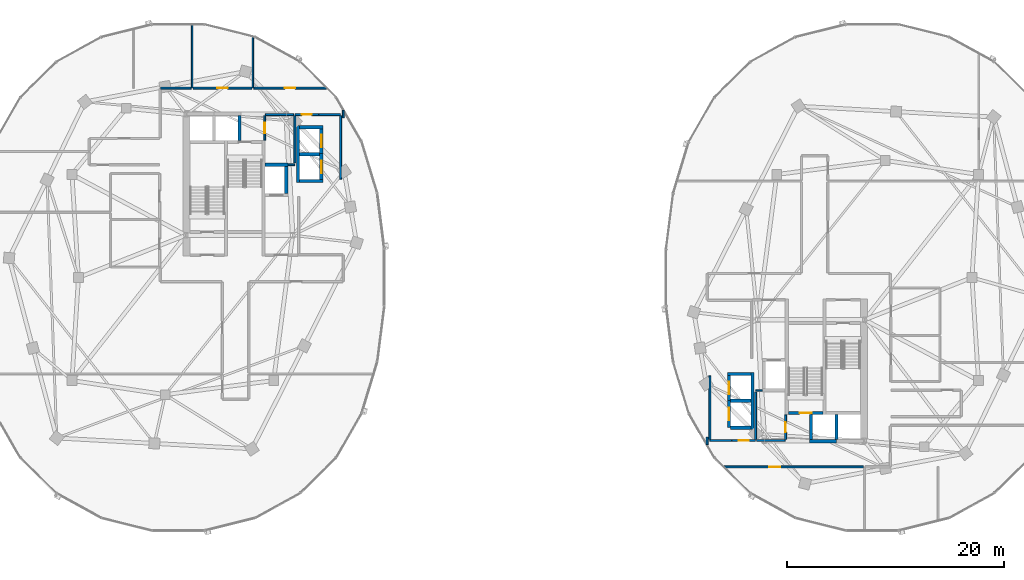
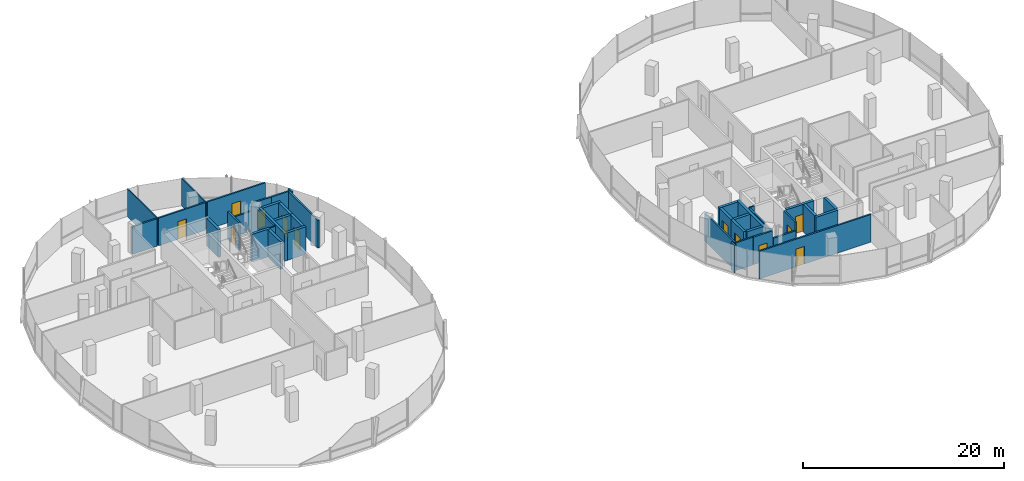
# One storey, part 13 of 22: 41 walls, 12 doors, 12 openings.
"""IFC4 building model written with IfcOpenShell, lengths in metres."""

from ifc_helpers import new_model, si_unit, direction, frame, frame_2d, origin, place, context, subcontext, project, spatial, rectangle, extrude, material, layer, layer_set, type_object, element, fill, save


model = new_model("IFC4")

# Units and contexts
model_context = context("Model", 3, precision=1e-05, world=origin(), true_north=direction((0.0, 1.0)))
body_context = subcontext(model_context, "Body", "Model", "MODEL_VIEW")
ifc_project = project(units=[si_unit("LENGTHUNIT", "METRE"), si_unit("AREAUNIT", "SQUARE_METRE"), si_unit("VOLUMEUNIT", "CUBIC_METRE"), si_unit("PLANEANGLEUNIT", "RADIAN"), si_unit("MASSUNIT", "GRAM", prefix="KILO"), si_unit("THERMODYNAMICTEMPERATUREUNIT", "KELVIN"), si_unit("POWERUNIT", "WATT")], contexts=[model_context])

# Site, building, storey
site_placement = place(None, origin())
site = spatial("IfcSite", under=ifc_project, at=site_placement, CompositionType="ELEMENT")
building_placement = place(site_placement, origin())
building = spatial("IfcBuilding", under=site, at=building_placement, Name="Cundina Bronze Exchange", CompositionType="ELEMENT")
storey_placement = place(building_placement, frame((0.0, 0.0, 165.60009765625)))
storey = spatial("IfcBuildingStorey", under=building, at=storey_placement, Name="L43", CompositionType="ELEMENT", Elevation=165.60009765625)

# Wall
ifc_material_1 = material(Name="Gypsum Fireboard Partition EI120")
ifc_layer_1 = layer(ifc_material_1, 0.179931640625, Name="Gypsum Fireboard Partition EI120")
ifc_layer_set_1 = layer_set([ifc_layer_1], Name="Gypsum Fireboard Partition EI120")
wall_type_1 = type_object("IfcWallType", Name="WL-COR-180", PredefinedType="PARTITIONING", material=ifc_layer_set_1)
wall_1_placement = place(storey_placement, frame((-17.02001953125, 9.070068359375, 0.0), z_axis=(0.0, 0.0, 1.0), x_axis=(0.0, 1.0, 0.0)))
element("IfcWall", 1, at=wall_1_placement, inside=storey, type_object=wall_type_1, Name="L43 Interior Partition 001", PredefinedType="PARTITIONING", context=body_context, shape_type="SweptSolid", body=[
    extrude(rectangle(XDim=5.85986328125, YDim=0.179931640625, at=frame_2d((2.929931640625, 0.0))), origin(), (0.0, 0.0, 1.0), 3.35986328125),
])

# Wall, opening, door
wall_2_placement = place(storey_placement, frame((-21.22998046875, 15.030029296875, 0.0), z_axis=(0.0, 0.0, 1.0), x_axis=(1.0, 0.0, 0.0)))
wall_2 = element("IfcWall", 2, at=wall_2_placement, inside=storey, type_object=wall_type_1, Name="L43 Interior Partition 002", PredefinedType="PARTITIONING", context=body_context, shape_type="SweptSolid", body=[
    extrude(rectangle(XDim=2.159912109375, YDim=0.179931640625, at=frame_2d((1.080078125, 0.0))), origin(), (0.0, 0.0, 1.0), 3.35986328125),
])
opening_1_placement = place(wall_2_placement, frame((0.60498046875, 0.0, 0.0)))
opening_1 = element("IfcOpeningElement", 3, at=opening_1_placement, cuts=wall_2, Name="Opening DW-01", PredefinedType="OPENING", context=body_context, shape_type="SweptSolid", body=[
    extrude(rectangle(XDim=0.949951171875, YDim=2.10009765625, at=frame_2d((0.47509765625, 1.050048828125))), frame((0.0, 0.099853515625, 0.0), z_axis=(0.0, -1.0, 0.0), x_axis=(1.0, 0.0, 0.0)), (0.0, 0.0, 1.0), 0.199951171875),
])
ifc_material_2 = material(Name="Solid Andean Oak Timber Grade A", Category="wood")
door_type_1 = type_object("IfcDoorType", Name="DR-WC-950", OperationType="NOTDEFINED", PredefinedType="DOOR", material=ifc_material_2)
door_1_placement = place(opening_1_placement, origin())
door_1 = element("IfcDoor", 4, at=door_1_placement, inside=storey, type_object=door_type_1, Name="L43 Interior Door 002", OperationType="SINGLE_SWING_LEFT", OverallHeight=2.10009765625, OverallWidth=0.949951171875, PredefinedType="DOOR", context=body_context, shape_type="SweptSolid", body=[
    extrude(rectangle(XDim=0.949951171875, YDim=2.10009765625, at=frame_2d((0.47509765625, 1.050048828125))), frame((0.0, 0.02490234375, 0.0), z_axis=(0.0, -1.0, 0.0), x_axis=(1.0, 0.0, 0.0)), (0.0, 0.0, 1.0), 0.050048828125),
])
fill(opening_1, door_1)

# Walls
wall_3_placement = place(storey_placement, frame((-19.030029296875, 15.030029296875, 0.0), z_axis=(0.0, 0.0, 1.0), x_axis=(1.0, 0.0, 0.0)))
element("IfcWall", 5, at=wall_3_placement, inside=storey, type_object=wall_type_1, Name="L43 Interior Partition 003", PredefinedType="PARTITIONING", context=body_context, shape_type="SweptSolid", body=[
    extrude(rectangle(XDim=1.989990234375, YDim=0.179931640625, at=frame_2d((0.9951171875, 0.0))), origin(), (0.0, 0.0, 1.0), 3.35986328125),
])
wall_4_placement = place(storey_placement, frame((-21.25, 10.570068359375, 0.0), z_axis=(0.0, 0.0, 1.0), x_axis=(0.0, 1.0, 0.0)))
element("IfcWall", 6, at=wall_4_placement, inside=storey, type_object=wall_type_1, Name="L43 Interior Partition 005", PredefinedType="PARTITIONING", context=body_context, shape_type="SweptSolid", body=[
    extrude(rectangle(XDim=4.35986328125, YDim=0.179931640625, at=frame_2d((2.179931640625, 0.0))), origin(), (0.0, 0.0, 1.0), 3.35986328125),
])
wall_5_placement = place(storey_placement, frame((-23.9599609375, 15.030029296875, 0.0), z_axis=(0.0, 0.0, 1.0), x_axis=(1.0, 0.0, 0.0)))
element("IfcWall", 7, at=wall_5_placement, inside=storey, type_object=wall_type_1, Name="L43 Interior Partition 006", PredefinedType="PARTITIONING", context=body_context, shape_type="SweptSolid", body=[
    extrude(rectangle(XDim=2.60986328125, YDim=0.179931640625, at=frame_2d((1.304931640625, 0.0))), origin(), (0.0, 0.0, 1.0), 2.432861328125),
])

# Wall, opening, door
wall_6_placement = place(storey_placement, frame((-24.02001953125, 12.669921875, 0.0), z_axis=(0.0, 0.0, 1.0), x_axis=(0.0, 1.0, 0.0)))
wall_6 = element("IfcWall", 8, at=wall_6_placement, inside=storey, type_object=wall_type_1, Name="L43 Interior Partition 007", PredefinedType="PARTITIONING", context=body_context, shape_type="SweptSolid", body=[
    extrude(rectangle(XDim=2.260009765625, YDim=0.179931640625, at=frame_2d((1.1298828125, 0.0))), origin(), (0.0, 0.0, 1.0), 3.35986328125),
])
opening_2_placement = place(wall_6_placement, frame((0.655029296875, 0.0, 0.0)))
opening_2 = element("IfcOpeningElement", 9, at=opening_2_placement, cuts=wall_6, Name="Opening DW-01", PredefinedType="OPENING", context=body_context, shape_type="SweptSolid", body=[
    extrude(rectangle(XDim=0.949951171875, YDim=2.10009765625, at=frame_2d((0.47509765625, 1.050048828125))), frame((0.0, 0.099853515625, 0.0), z_axis=(0.0, -1.0, 0.0), x_axis=(1.0, 0.0, 0.0)), (0.0, 0.0, 1.0), 0.199951171875),
])
door_2_placement = place(opening_2_placement, origin())
door_2 = element("IfcDoor", 10, at=door_2_placement, inside=storey, type_object=door_type_1, Name="L43 Interior Door 007", OperationType="SINGLE_SWING_LEFT", OverallHeight=2.10009765625, OverallWidth=0.949951171875, PredefinedType="DOOR", context=body_context, shape_type="SweptSolid", body=[
    extrude(rectangle(XDim=0.949951171875, YDim=2.10009765625, at=frame_2d((0.47509765625, 1.050048828125))), frame((0.0, 0.02490234375, 0.0), z_axis=(0.0, -1.0, 0.0), x_axis=(1.0, 0.0, 0.0)), (0.0, 0.0, 1.0), 0.050048828125),
])
fill(opening_2, door_2)

# Walls
wall_7_placement = place(storey_placement, frame((-16.780029296875, 14.721435546875, 0.0), z_axis=(0.0, 0.0, 1.0), x_axis=(0.0, 1.0, 0.0)))
element("IfcWall", 11, at=wall_7_placement, inside=storey, type_object=wall_type_1, Name="L43 Interior Partition 033", PredefinedType="PARTITIONING", context=body_context, shape_type="SweptSolid", body=[
    extrude(rectangle(XDim=0.68359375, YDim=0.179931640625, at=frame_2d((0.341796875, 0.0))), origin(), (0.0, 0.0, 1.0), 3.35986328125),
])
wall_8_placement = place(storey_placement, frame((-30.81005859375, 17.469970703125, 0.0), z_axis=(0.0, 0.0, 1.0), x_axis=(-1.0, 0.0, 0.0)))
element("IfcWall", 12, at=wall_8_placement, inside=storey, type_object=wall_type_1, Name="L43 Interior Partition 038", PredefinedType="PARTITIONING", context=body_context, shape_type="SweptSolid", body=[
    extrude(rectangle(XDim=2.818359375, YDim=0.179931640625, at=frame_2d((1.4091796875, 0.0))), origin(), (0.0, 0.0, 1.0), 3.35986328125),
])

# Wall, opening, door
wall_9_placement = place(storey_placement, frame((-18.341796875, 17.469970703125, 0.0), z_axis=(0.0, 0.0, 1.0), x_axis=(-1.0, 0.0, 0.0)))
wall_9 = element("IfcWall", 13, at=wall_9_placement, inside=storey, type_object=wall_type_1, Name="L43 Interior Partition 040", PredefinedType="PARTITIONING", context=body_context, shape_type="SweptSolid", body=[
    extrude(rectangle(XDim=6.688232421875, YDim=0.179931640625, at=frame_2d((3.34423828125, 0.0))), origin(), (0.0, 0.0, 1.0), 3.35986328125),
])
opening_3_placement = place(wall_9_placement, frame((2.84423828125, 0.0, 0.0)))
opening_3 = element("IfcOpeningElement", 14, at=opening_3_placement, cuts=wall_9, Name="Opening DO-01", PredefinedType="OPENING", context=body_context, shape_type="SweptSolid", body=[
    extrude(rectangle(XDim=1.0, YDim=2.14990234375, at=frame_2d((0.5, 1.074951171875))), frame((0.0, 0.099853515625, 0.0), z_axis=(0.0, -1.0, 0.0), x_axis=(1.0, 0.0, 0.0)), (0.0, 0.0, 1.0), 0.199951171875),
])
door_type_2 = type_object("IfcDoorType", Name="DR-OFF-1000", OperationType="NOTDEFINED", PredefinedType="DOOR", material=ifc_material_2)
door_3_placement = place(opening_3_placement, origin())
door_3 = element("IfcDoor", 15, at=door_3_placement, inside=storey, type_object=door_type_2, Name="L43 Interior Door 040", OperationType="SINGLE_SWING_LEFT", OverallHeight=2.14990234375, OverallWidth=1.0, PredefinedType="DOOR", context=body_context, shape_type="SweptSolid", body=[
    extrude(rectangle(XDim=1.0, YDim=2.14990234375, at=frame_2d((0.5, 1.074951171875))), frame((0.0, 0.02490234375, 0.0), z_axis=(0.0, -1.0, 0.0), x_axis=(1.0, 0.0, 0.0)), (0.0, 0.0, 1.0), 0.050048828125),
])
fill(opening_3, door_3)

wall_10_placement = place(storey_placement, frame((-25.2099609375, 17.469970703125, 0.0), z_axis=(0.0, 0.0, 1.0), x_axis=(-1.0, 0.0, 0.0)))
wall_10 = element("IfcWall", 16, at=wall_10_placement, inside=storey, type_object=wall_type_1, Name="L43 Interior Partition 041", PredefinedType="PARTITIONING", context=body_context, shape_type="SweptSolid", body=[
    extrude(rectangle(XDim=5.419921875, YDim=0.179931640625, at=frame_2d((2.7099609375, 0.0))), origin(), (0.0, 0.0, 1.0), 3.35986328125),
])
opening_4_placement = place(wall_10_placement, frame((2.2099609375, 0.0, 0.0)))
opening_4 = element("IfcOpeningElement", 17, at=opening_4_placement, cuts=wall_10, Name="Opening DO-01", PredefinedType="OPENING", context=body_context, shape_type="SweptSolid", body=[
    extrude(rectangle(XDim=1.0, YDim=2.14990234375, at=frame_2d((0.5, 1.074951171875))), frame((0.0, 0.099853515625, 0.0), z_axis=(0.0, -1.0, 0.0), x_axis=(1.0, 0.0, 0.0)), (0.0, 0.0, 1.0), 0.199951171875),
])
door_4_placement = place(opening_4_placement, origin())
door_4 = element("IfcDoor", 18, at=door_4_placement, inside=storey, type_object=door_type_2, Name="L43 Interior Door 041", OperationType="SINGLE_SWING_LEFT", OverallHeight=2.14990234375, OverallWidth=1.0, PredefinedType="DOOR", context=body_context, shape_type="SweptSolid", body=[
    extrude(rectangle(XDim=1.0, YDim=2.14990234375, at=frame_2d((0.5, 1.074951171875))), frame((0.0, 0.02490234375, 0.0), z_axis=(0.0, -1.0, 0.0), x_axis=(1.0, 0.0, 0.0)), (0.0, 0.0, 1.0), 0.050048828125),
])
fill(opening_4, door_4)

# Walls
wall_11_placement = place(storey_placement, frame((17.02001953125, -14.929931640625, 0.0), z_axis=(0.0, 0.0, 1.0), x_axis=(0.0, 1.0, 0.0)))
element("IfcWall", 19, at=wall_11_placement, inside=storey, type_object=wall_type_1, Name="L43 Interior Partition 042", PredefinedType="PARTITIONING", context=body_context, shape_type="SweptSolid", body=[
    extrude(rectangle(XDim=5.85986328125, YDim=0.179931640625, at=frame_2d((2.929931640625, 0.0))), origin(), (0.0, 0.0, 1.0), 3.35986328125),
])
wall_12_placement = place(storey_placement, frame((17.0400390625, -15.030029296875, 0.0), z_axis=(0.0, 0.0, 1.0), x_axis=(1.0, 0.0, 0.0)))
element("IfcWall", 20, at=wall_12_placement, inside=storey, type_object=wall_type_1, Name="L43 Interior Partition 043", PredefinedType="PARTITIONING", context=body_context, shape_type="SweptSolid", body=[
    extrude(rectangle(XDim=1.989990234375, YDim=0.179931640625, at=frame_2d((0.9951171875, 0.0))), origin(), (0.0, 0.0, 1.0), 3.35986328125),
])

# Wall, opening, door
wall_13_placement = place(storey_placement, frame((21.22998046875, -15.030029296875, 0.0), z_axis=(0.0, 0.0, 1.0), x_axis=(-1.0, 0.0, 0.0)))
wall_13 = element("IfcWall", 21, at=wall_13_placement, inside=storey, type_object=wall_type_1, Name="L43 Interior Partition 044", PredefinedType="PARTITIONING", context=body_context, shape_type="SweptSolid", body=[
    extrude(rectangle(XDim=2.159912109375, YDim=0.179931640625, at=frame_2d((1.080078125, 0.0))), origin(), (0.0, 0.0, 1.0), 3.35986328125),
])
opening_5_placement = place(wall_13_placement, frame((0.60498046875, 0.0, 0.0)))
opening_5 = element("IfcOpeningElement", 22, at=opening_5_placement, cuts=wall_13, Name="Opening DW-01", PredefinedType="OPENING", context=body_context, shape_type="SweptSolid", body=[
    extrude(rectangle(XDim=0.949951171875, YDim=2.10009765625, at=frame_2d((0.47509765625, 1.050048828125))), frame((0.0, 0.099853515625, 0.0), z_axis=(0.0, -1.0, 0.0), x_axis=(1.0, 0.0, 0.0)), (0.0, 0.0, 1.0), 0.199951171875),
])
door_5_placement = place(opening_5_placement, origin())
door_5 = element("IfcDoor", 23, at=door_5_placement, inside=storey, type_object=door_type_1, Name="L43 Interior Door 044", OperationType="SINGLE_SWING_RIGHT", OverallHeight=2.10009765625, OverallWidth=0.949951171875, PredefinedType="DOOR", context=body_context, shape_type="SweptSolid", body=[
    extrude(rectangle(XDim=0.949951171875, YDim=2.10009765625, at=frame_2d((0.47509765625, 1.050048828125))), frame((0.0, 0.02490234375, 0.0), z_axis=(0.0, -1.0, 0.0), x_axis=(1.0, 0.0, 0.0)), (0.0, 0.0, 1.0), 0.050048828125),
])
fill(opening_5, door_5)

# Walls
wall_14_placement = place(storey_placement, frame((21.25, -14.929931640625, 0.0), z_axis=(0.0, 0.0, 1.0), x_axis=(0.0, 1.0, 0.0)))
element("IfcWall", 24, at=wall_14_placement, inside=storey, type_object=wall_type_1, Name="L43 Interior Partition 046", PredefinedType="PARTITIONING", context=body_context, shape_type="SweptSolid", body=[
    extrude(rectangle(XDim=4.35986328125, YDim=0.179931640625, at=frame_2d((2.179931640625, 0.0))), origin(), (0.0, 0.0, 1.0), 3.35986328125),
])
wall_15_placement = place(storey_placement, frame((21.35009765625, -15.030029296875, 0.0), z_axis=(0.0, 0.0, 1.0), x_axis=(1.0, 0.0, 0.0)))
element("IfcWall", 25, at=wall_15_placement, inside=storey, type_object=wall_type_1, Name="L43 Interior Partition 047", PredefinedType="PARTITIONING", context=body_context, shape_type="SweptSolid", body=[
    extrude(rectangle(XDim=2.60986328125, YDim=0.179931640625, at=frame_2d((1.304931640625, 0.0))), origin(), (0.0, 0.0, 1.0), 2.432861328125),
])

# Wall, opening, door
wall_16_placement = place(storey_placement, frame((24.02001953125, -14.929931640625, 0.0), z_axis=(0.0, 0.0, 1.0), x_axis=(0.0, 1.0, 0.0)))
wall_16 = element("IfcWall", 26, at=wall_16_placement, inside=storey, type_object=wall_type_1, Name="L43 Interior Partition 048", PredefinedType="PARTITIONING", context=body_context, shape_type="SweptSolid", body=[
    extrude(rectangle(XDim=2.260009765625, YDim=0.179931640625, at=frame_2d((1.1298828125, 0.0))), origin(), (0.0, 0.0, 1.0), 3.35986328125),
])
opening_6_placement = place(wall_16_placement, frame((0.655029296875, 0.0, 0.0)))
opening_6 = element("IfcOpeningElement", 27, at=opening_6_placement, cuts=wall_16, Name="Opening DW-01", PredefinedType="OPENING", context=body_context, shape_type="SweptSolid", body=[
    extrude(rectangle(XDim=0.949951171875, YDim=2.10009765625, at=frame_2d((0.47509765625, 1.050048828125))), frame((0.0, 0.099853515625, 0.0), z_axis=(0.0, -1.0, 0.0), x_axis=(1.0, 0.0, 0.0)), (0.0, 0.0, 1.0), 0.199951171875),
])
door_6_placement = place(opening_6_placement, origin())
door_6 = element("IfcDoor", 28, at=door_6_placement, inside=storey, type_object=door_type_1, Name="L43 Interior Door 048", OperationType="SINGLE_SWING_RIGHT", OverallHeight=2.10009765625, OverallWidth=0.949951171875, PredefinedType="DOOR", context=body_context, shape_type="SweptSolid", body=[
    extrude(rectangle(XDim=0.949951171875, YDim=2.10009765625, at=frame_2d((0.47509765625, 1.050048828125))), frame((0.0, 0.02490234375, 0.0), z_axis=(0.0, -1.0, 0.0), x_axis=(1.0, 0.0, 0.0)), (0.0, 0.0, 1.0), 0.050048828125),
])
fill(opening_6, door_6)

wall_17_placement = place(storey_placement, frame((18.341796875, -17.469970703125, 0.0), z_axis=(0.0, 0.0, 1.0), x_axis=(1.0, 0.0, 0.0)))
wall_17 = element("IfcWall", 29, at=wall_17_placement, inside=storey, type_object=wall_type_1, Name="L43 Interior Partition 064", PredefinedType="PARTITIONING", context=body_context, shape_type="SweptSolid", body=[
    extrude(rectangle(XDim=12.84814453125, YDim=0.179931640625, at=frame_2d((6.424072265625, 0.0))), origin(), (0.0, 0.0, 1.0), 3.35986328125),
])
opening_7_placement = place(wall_17_placement, frame((4.182861328125, 0.0, 0.0)))
opening_7 = element("IfcOpeningElement", 30, at=opening_7_placement, cuts=wall_17, Name="Opening DO-01", PredefinedType="OPENING", context=body_context, shape_type="SweptSolid", body=[
    extrude(rectangle(XDim=1.0, YDim=2.14990234375, at=frame_2d((0.5, 1.074951171875))), frame((0.0, 0.099853515625, 0.0), z_axis=(0.0, -1.0, 0.0), x_axis=(1.0, 0.0, 0.0)), (0.0, 0.0, 1.0), 0.199951171875),
])
door_7_placement = place(opening_7_placement, origin())
door_7 = element("IfcDoor", 31, at=door_7_placement, inside=storey, type_object=door_type_2, Name="L43 Interior Door 064", OperationType="SINGLE_SWING_LEFT", OverallHeight=2.14990234375, OverallWidth=1.0, PredefinedType="DOOR", context=body_context, shape_type="SweptSolid", body=[
    extrude(rectangle(XDim=1.0, YDim=2.14990234375, at=frame_2d((0.5, 1.074951171875))), frame((0.0, 0.02490234375, 0.0), z_axis=(0.0, -1.0, 0.0), x_axis=(1.0, 0.0, 0.0)), (0.0, 0.0, 1.0), 0.050048828125),
])
fill(opening_7, door_7)

# Walls
wall_18_placement = place(storey_placement, frame((16.780029296875, -14.721435546875, 0.0), z_axis=(0.0, 0.0, 1.0), x_axis=(0.0, -1.0, 0.0)))
element("IfcWall", 32, at=wall_18_placement, inside=storey, type_object=wall_type_1, Name="L43 Interior Partition 074", PredefinedType="PARTITIONING", context=body_context, shape_type="SweptSolid", body=[
    extrude(rectangle(XDim=0.68359375, YDim=0.179931640625, at=frame_2d((0.341796875, 0.0))), origin(), (0.0, 0.0, 1.0), 3.35986328125),
])
ifc_material_3 = material(Name="Gypsum Acoustic Partition EI60")
ifc_layer_2 = layer(ifc_material_3, 0.125, Name="Gypsum Acoustic Partition EI60")
ifc_layer_set_2 = layer_set([ifc_layer_2], Name="Gypsum Acoustic Partition EI60")
wall_type_2 = type_object("IfcWallType", Name="WL-OFF-125", PredefinedType="PARTITIONING", material=ifc_layer_set_2)
wall_19_placement = place(storey_placement, frame((-30.719970703125, 17.5, 0.0), z_axis=(0.0, 0.0, 1.0), x_axis=(0.0, 1.0, 0.0)))
element("IfcWall", 33, at=wall_19_placement, inside=storey, type_object=wall_type_2, Name="L43 Interior Partition 021", PredefinedType="PARTITIONING", context=body_context, shape_type="SweptSolid", body=[
    extrude(rectangle(XDim=5.902099609375, YDim=0.125, at=frame_2d((2.951171875, 0.0))), origin(), (0.0, 0.0, 1.0), 3.35986328125),
])
wall_20_placement = place(storey_placement, frame((-25.1201171875, 17.5, 0.0), z_axis=(0.0, 0.0, 1.0), x_axis=(0.0, 1.0, 0.0)))
element("IfcWall", 34, at=wall_20_placement, inside=storey, type_object=wall_type_2, Name="L43 Interior Partition 022", PredefinedType="PARTITIONING", context=body_context, shape_type="SweptSolid", body=[
    extrude(rectangle(XDim=4.791015625, YDim=0.125, at=frame_2d((2.3955078125, 0.0))), origin(), (0.0, 0.0, 1.0), 3.35986328125),
])
ifc_material_4 = material(Name="Concrete C50/60", Category="concrete")
ifc_layer_3 = layer(ifc_material_4, 0.300048828125, Name="Concrete C50/60", Category="concrete")
ifc_layer_set_3 = layer_set([ifc_layer_3], Name="Concrete C50/60")
wall_type_3 = type_object("IfcWallType", Name="WL-SHFT-300", PredefinedType="SHEAR", material=ifc_layer_set_3)
wall_21_placement = place(storey_placement, frame((-23.97998046875, 10.39990234375, 0.0), z_axis=(0.0, 0.0, 1.0), x_axis=(1.0, 0.0, 0.0)))
element("IfcWall", 35, at=wall_21_placement, inside=storey, type_object=wall_type_3, Name="L43 FFL-W Hoistway Back Wall", PredefinedType="SHEAR", context=body_context, shape_type="SweptSolid", body=[
    extrude(rectangle(XDim=2.10009765625, YDim=0.300048828125, at=frame_2d((1.050048828125, 0.0))), origin(), (0.0, 0.0, 1.0), 3.35986328125),
])
wall_22_placement = place(storey_placement, frame((-22.030029296875, 7.75, 0.0), z_axis=(0.0, 0.0, 1.0), x_axis=(0.0, 1.0, 0.0)))
element("IfcWall", 36, at=wall_22_placement, inside=storey, type_object=wall_type_3, Name="L43 FFL-W Hoistway Side Wall", PredefinedType="SHEAR", context=body_context, shape_type="SweptSolid", body=[
    extrude(rectangle(XDim=2.5, YDim=0.300048828125, at=frame_2d((1.25, 0.0))), origin(), (0.0, 0.0, 1.0), 3.35986328125),
])
wall_23_placement = place(storey_placement, frame((-26.35009765625, 12.64990234375, 0.0), z_axis=(0.0, 0.0, 1.0), x_axis=(0.0, 1.0, 0.0)))
element("IfcWall", 37, at=wall_23_placement, inside=storey, type_object=wall_type_3, Name="L43 PH-W2 Hoistway Divider Wall", PredefinedType="SHEAR", context=body_context, shape_type="SweptSolid", body=[
    extrude(rectangle(XDim=2.300048828125, YDim=0.300048828125, at=frame_2d((1.14990234375, 0.0))), origin(), (0.0, 0.0, 1.0), 3.35986328125),
])
wall_24_placement = place(storey_placement, frame((-20.949951171875, 8.75, 0.0), z_axis=(0.0, 0.0, 1.0), x_axis=(0.0, 1.0, 0.0)))
element("IfcWall", 38, at=wall_24_placement, inside=storey, type_object=wall_type_3, Name="L43 W Passenger Bank Hoistway Back Wall", PredefinedType="SHEAR", context=body_context, shape_type="SweptSolid", body=[
    extrude(rectangle(XDim=5.25, YDim=0.300048828125, at=frame_2d((2.625, 0.0))), origin(), (0.0, 0.0, 1.0), 3.35986328125),
])
for number, where, z_axis, x_axis, name in (
    (39, (-20.800048828125, 8.89990234375, 0.0), (0.0, 0.0, 1.0), (1.0, 0.0, 0.0), "L43 W Passenger Bank South Cap Wall"),
    (40, (-20.800048828125, 13.85009765625, 0.0), (0.0, 0.0, 1.0), (1.0, 0.0, 0.0), "L43 W Passenger Bank North Cap Wall"),
):
    element("IfcWall", number, at=place(storey_placement, frame(where, z_axis=z_axis, x_axis=x_axis)), inside=storey, type_object=wall_type_3, Name=name, PredefinedType="SHEAR", context=body_context, shape_type="SweptSolid", body=[
        extrude(rectangle(XDim=2.150146484375, YDim=0.300048828125, at=frame_2d((1.0751953125, 0.0))), origin(), (0.0, 0.0, 1.0), 3.35986328125),
    ])
wall_25_placement = place(storey_placement, frame((-20.800048828125, 11.375, 0.0), z_axis=(0.0, 0.0, 1.0), x_axis=(1.0, 0.0, 0.0)))
element("IfcWall", 41, at=wall_25_placement, inside=storey, type_object=wall_type_3, Name="L43 W Passenger Hoistway Divider 1", PredefinedType="SHEAR", context=body_context, shape_type="SweptSolid", body=[
    extrude(rectangle(XDim=1.85009765625, YDim=0.300048828125, at=frame_2d((0.925048828125, 0.0))), origin(), (0.0, 0.0, 1.0), 3.35986328125),
])

# Wall, opening, door
wall_26_placement = place(storey_placement, frame((-18.800048828125, 8.929931640625, 0.0), z_axis=(0.0, 0.0, 1.0), x_axis=(0.0, 1.0, 0.0)))
wall_26 = element("IfcWall", 42, at=wall_26_placement, inside=storey, type_object=wall_type_3, Name="L43 PM-W2 Hoistway Front Wall", PredefinedType="SHEAR", context=body_context, shape_type="SweptSolid", body=[
    extrude(rectangle(XDim=2.489990234375, YDim=0.300048828125, at=frame_2d((1.2451171875, 0.0))), origin(), (0.0, 0.0, 1.0), 3.35986328125),
])
opening_8_placement = place(wall_26_placement, frame((0.669921875, 0.0, 0.0)))
opening_8 = element("IfcOpeningElement", 43, at=opening_8_placement, cuts=wall_26, Name="Opening LD-01", PredefinedType="OPENING", context=body_context, shape_type="SweptSolid", body=[
    extrude(rectangle(XDim=1.14990234375, YDim=2.199951171875, at=frame_2d((0.574951171875, 1.10009765625))), frame((0.0, 0.159912109375, 0.0), z_axis=(0.0, -1.0, 0.0), x_axis=(1.0, 0.0, 0.0)), (0.0, 0.0, 1.0), 0.320068359375),
])
ifc_material_5 = material(Name="Steel ASTM A36 Painted", Category="steel")
door_type_3 = type_object("IfcDoorType", Name="DR-LND-1150", OperationType="NOTDEFINED", PredefinedType="TRAPDOOR", material=ifc_material_5)
door_8_placement = place(opening_8_placement, origin())
door_8 = element("IfcDoor", 44, at=door_8_placement, inside=storey, type_object=door_type_3, Name="L43 PM-W2 Sliding Landing Door", OperationType="SLIDING_TO_LEFT", OverallHeight=2.199951171875, OverallWidth=1.14990234375, PredefinedType="TRAPDOOR", context=body_context, shape_type="SweptSolid", body=[
    extrude(rectangle(XDim=1.14990234375, YDim=2.199951171875, at=frame_2d((0.574951171875, 1.10009765625))), frame((0.0, 0.02490234375, 0.0), z_axis=(0.0, -1.0, 0.0), x_axis=(1.0, 0.0, 0.0)), (0.0, 0.0, 1.0), 0.050048828125),
])
fill(opening_8, door_8)

wall_27_placement = place(storey_placement, frame((-18.800048828125, 11.330078125, 0.0), z_axis=(0.0, 0.0, 1.0), x_axis=(0.0, 1.0, 0.0)))
wall_27 = element("IfcWall", 45, at=wall_27_placement, inside=storey, type_object=wall_type_3, Name="L43 PM-W1 Hoistway Front Wall", PredefinedType="SHEAR", context=body_context, shape_type="SweptSolid", body=[
    extrude(rectangle(XDim=2.489990234375, YDim=0.300048828125, at=frame_2d((1.2451171875, 0.0))), origin(), (0.0, 0.0, 1.0), 3.35986328125),
])
opening_9_placement = place(wall_27_placement, frame((0.669921875, 0.0, 0.0)))
opening_9 = element("IfcOpeningElement", 46, at=opening_9_placement, cuts=wall_27, Name="Opening LD-01", PredefinedType="OPENING", context=body_context, shape_type="SweptSolid", body=[
    extrude(rectangle(XDim=1.14990234375, YDim=2.199951171875, at=frame_2d((0.574951171875, 1.10009765625))), frame((0.0, 0.159912109375, 0.0), z_axis=(0.0, -1.0, 0.0), x_axis=(1.0, 0.0, 0.0)), (0.0, 0.0, 1.0), 0.320068359375),
])
door_9_placement = place(opening_9_placement, origin())
door_9 = element("IfcDoor", 47, at=door_9_placement, inside=storey, type_object=door_type_3, Name="L43 PM-W1 Sliding Landing Door", OperationType="SLIDING_TO_LEFT", OverallHeight=2.199951171875, OverallWidth=1.14990234375, PredefinedType="TRAPDOOR", context=body_context, shape_type="SweptSolid", body=[
    extrude(rectangle(XDim=1.14990234375, YDim=2.199951171875, at=frame_2d((0.574951171875, 1.10009765625))), frame((0.0, 0.02490234375, 0.0), z_axis=(0.0, -1.0, 0.0), x_axis=(1.0, 0.0, 0.0)), (0.0, 0.0, 1.0), 0.050048828125),
])
fill(opening_9, door_9)

wall_28_placement = place(storey_placement, frame((24.280029296875, -12.5, 0.0), z_axis=(0.0, 0.0, 1.0), x_axis=(1.0, 0.0, 0.0)))
wall_28 = element("IfcWall", 48, at=wall_28_placement, inside=storey, type_object=wall_type_3, Name="L43 Stair E2 Landing Wall", PredefinedType="SHEAR", context=body_context, shape_type="SweptSolid", body=[
    extrude(rectangle(XDim=3.159912109375, YDim=0.300048828125, at=frame_2d((1.580078125, 0.0))), origin(), (0.0, 0.0, 1.0), 3.35986328125),
])
opening_10_placement = place(wall_28_placement, frame((1.030029296875, 0.0, 0.0)))
opening_10 = element("IfcOpeningElement", 49, at=opening_10_placement, cuts=wall_28, Name="Opening DS-01", PredefinedType="OPENING", context=body_context, shape_type="SweptSolid", body=[
    extrude(rectangle(XDim=1.10009765625, YDim=2.14990234375, at=frame_2d((0.550048828125, 1.074951171875))), frame((0.0, 0.159912109375, 0.0), z_axis=(0.0, -1.0, 0.0), x_axis=(1.0, 0.0, 0.0)), (0.0, 0.0, 1.0), 0.320068359375),
])
door_type_4 = type_object("IfcDoorType", Name="DR-STR-1100", OperationType="NOTDEFINED", PredefinedType="DOOR", material=ifc_material_5)
door_10_placement = place(opening_10_placement, origin())
door_10 = element("IfcDoor", 50, at=door_10_placement, inside=storey, type_object=door_type_4, Name="L43 Smokeproof Stair E2 Door", OperationType="SINGLE_SWING_RIGHT", OverallHeight=2.14990234375, OverallWidth=1.10009765625, PredefinedType="DOOR", context=body_context, shape_type="SweptSolid", body=[
    extrude(rectangle(XDim=1.10009765625, YDim=2.14990234375, at=frame_2d((0.550048828125, 1.074951171875))), frame((0.0, 0.02490234375, 0.0), z_axis=(0.0, -1.0, 0.0), x_axis=(1.0, 0.0, 0.0)), (0.0, 0.0, 1.0), 0.050048828125),
])
fill(opening_10, door_10)

# Walls
wall_29_placement = place(storey_placement, frame((28.699951171875, -14.949951171875, 0.0), z_axis=(0.0, 0.0, 1.0), x_axis=(0.0, 1.0, 0.0)))
element("IfcWall", 51, at=wall_29_placement, inside=storey, type_object=wall_type_3, Name="L43 PH-E1 Hoistway Divider Wall", PredefinedType="SHEAR", context=body_context, shape_type="SweptSolid", body=[
    extrude(rectangle(XDim=2.300048828125, YDim=0.300048828125, at=frame_2d((1.14990234375, 0.0))), origin(), (0.0, 0.0, 1.0), 3.35986328125),
])
wall_30_placement = place(storey_placement, frame((26.199951171875, -15.10009765625, 0.0), z_axis=(0.0, 0.0, 1.0), x_axis=(1.0, 0.0, 0.0)))
element("IfcWall", 52, at=wall_30_placement, inside=storey, type_object=wall_type_3, Name="L43 PH-E2 Hoistway Front Wall", PredefinedType="SHEAR", context=body_context, shape_type="SweptSolid", body=[
    extrude(rectangle(XDim=2.5, YDim=0.300048828125, at=frame_2d((1.25, 0.0))), origin(), (0.0, 0.0, 1.0), 3.35986328125),
])
wall_31_placement = place(storey_placement, frame((26.35009765625, -14.949951171875, 0.0), z_axis=(0.0, 0.0, 1.0), x_axis=(0.0, 1.0, 0.0)))
element("IfcWall", 53, at=wall_31_placement, inside=storey, type_object=wall_type_3, Name="L43 PH-E2 Hoistway Divider Wall", PredefinedType="SHEAR", context=body_context, shape_type="SweptSolid", body=[
    extrude(rectangle(XDim=2.300048828125, YDim=0.300048828125, at=frame_2d((1.14990234375, 0.0))), origin(), (0.0, 0.0, 1.0), 3.35986328125),
])
wall_32_placement = place(storey_placement, frame((20.949951171875, -14.0, 0.0), z_axis=(0.0, 0.0, 1.0), x_axis=(0.0, 1.0, 0.0)))
element("IfcWall", 54, at=wall_32_placement, inside=storey, type_object=wall_type_3, Name="L43 E Passenger Bank Hoistway Back Wall", PredefinedType="SHEAR", context=body_context, shape_type="SweptSolid", body=[
    extrude(rectangle(XDim=5.25, YDim=0.300048828125, at=frame_2d((2.625, 0.0))), origin(), (0.0, 0.0, 1.0), 3.35986328125),
])
wall_33_placement = place(storey_placement, frame((18.949951171875, -13.85009765625, 0.0), z_axis=(0.0, 0.0, 1.0), x_axis=(1.0, 0.0, 0.0)))
element("IfcWall", 55, at=wall_33_placement, inside=storey, type_object=wall_type_3, Name="L43 E Passenger Bank South Cap Wall", PredefinedType="SHEAR", context=body_context, shape_type="SweptSolid", body=[
    extrude(rectangle(XDim=1.85009765625, YDim=0.300048828125, at=frame_2d((0.925048828125, 0.0))), origin(), (0.0, 0.0, 1.0), 3.35986328125),
])
wall_34_placement = place(storey_placement, frame((18.64990234375, -8.89990234375, 0.0), z_axis=(0.0, 0.0, 1.0), x_axis=(1.0, 0.0, 0.0)))
element("IfcWall", 56, at=wall_34_placement, inside=storey, type_object=wall_type_3, Name="L43 E Passenger Bank North Cap Wall", PredefinedType="SHEAR", context=body_context, shape_type="SweptSolid", body=[
    extrude(rectangle(XDim=2.150146484375, YDim=0.300048828125, at=frame_2d((1.0751953125, 0.0))), origin(), (0.0, 0.0, 1.0), 3.35986328125),
])
wall_35_placement = place(storey_placement, frame((18.949951171875, -11.375, 0.0), z_axis=(0.0, 0.0, 1.0), x_axis=(1.0, 0.0, 0.0)))
element("IfcWall", 57, at=wall_35_placement, inside=storey, type_object=wall_type_3, Name="L43 E Passenger Hoistway Divider 1", PredefinedType="SHEAR", context=body_context, shape_type="SweptSolid", body=[
    extrude(rectangle(XDim=1.85009765625, YDim=0.300048828125, at=frame_2d((0.925048828125, 0.0))), origin(), (0.0, 0.0, 1.0), 3.35986328125),
])

# Wall, opening, door
wall_36_placement = place(storey_placement, frame((18.800048828125, -13.820068359375, 0.0), z_axis=(0.0, 0.0, 1.0), x_axis=(0.0, 1.0, 0.0)))
wall_36 = element("IfcWall", 58, at=wall_36_placement, inside=storey, type_object=wall_type_3, Name="L43 PM-E1 Hoistway Front Wall", PredefinedType="SHEAR", context=body_context, shape_type="SweptSolid", body=[
    extrude(rectangle(XDim=2.489990234375, YDim=0.300048828125, at=frame_2d((1.2451171875, 0.0))), origin(), (0.0, 0.0, 1.0), 3.35986328125),
])
opening_11_placement = place(wall_36_placement, frame((0.669921875, 0.0, 0.0)))
opening_11 = element("IfcOpeningElement", 59, at=opening_11_placement, cuts=wall_36, Name="Opening LD-01", PredefinedType="OPENING", context=body_context, shape_type="SweptSolid", body=[
    extrude(rectangle(XDim=1.14990234375, YDim=2.199951171875, at=frame_2d((0.574951171875, 1.10009765625))), frame((0.0, 0.159912109375, 0.0), z_axis=(0.0, -1.0, 0.0), x_axis=(1.0, 0.0, 0.0)), (0.0, 0.0, 1.0), 0.320068359375),
])
door_11_placement = place(opening_11_placement, origin())
door_11 = element("IfcDoor", 60, at=door_11_placement, inside=storey, type_object=door_type_3, Name="L43 PM-E1 Sliding Landing Door", OperationType="SLIDING_TO_LEFT", OverallHeight=2.199951171875, OverallWidth=1.14990234375, PredefinedType="TRAPDOOR", context=body_context, shape_type="SweptSolid", body=[
    extrude(rectangle(XDim=1.14990234375, YDim=2.199951171875, at=frame_2d((0.574951171875, 1.10009765625))), frame((0.0, 0.02490234375, 0.0), z_axis=(0.0, -1.0, 0.0), x_axis=(1.0, 0.0, 0.0)), (0.0, 0.0, 1.0), 0.050048828125),
])
fill(opening_11, door_11)

wall_37_placement = place(storey_placement, frame((18.800048828125, -11.419921875, 0.0), z_axis=(0.0, 0.0, 1.0), x_axis=(0.0, 1.0, 0.0)))
wall_37 = element("IfcWall", 61, at=wall_37_placement, inside=storey, type_object=wall_type_3, Name="L43 PM-E2 Hoistway Front Wall", PredefinedType="SHEAR", context=body_context, shape_type="SweptSolid", body=[
    extrude(rectangle(XDim=2.489990234375, YDim=0.300048828125, at=frame_2d((1.2451171875, 0.0))), origin(), (0.0, 0.0, 1.0), 3.35986328125),
])
opening_12_placement = place(wall_37_placement, frame((0.669921875, 0.0, 0.0)))
opening_12 = element("IfcOpeningElement", 62, at=opening_12_placement, cuts=wall_37, Name="Opening LD-01", PredefinedType="OPENING", context=body_context, shape_type="SweptSolid", body=[
    extrude(rectangle(XDim=1.14990234375, YDim=2.199951171875, at=frame_2d((0.574951171875, 1.10009765625))), frame((0.0, 0.159912109375, 0.0), z_axis=(0.0, -1.0, 0.0), x_axis=(1.0, 0.0, 0.0)), (0.0, 0.0, 1.0), 0.320068359375),
])
door_12_placement = place(opening_12_placement, origin())
door_12 = element("IfcDoor", 63, at=door_12_placement, inside=storey, type_object=door_type_3, Name="L43 PM-E2 Sliding Landing Door", OperationType="SLIDING_TO_LEFT", OverallHeight=2.199951171875, OverallWidth=1.14990234375, PredefinedType="TRAPDOOR", context=body_context, shape_type="SweptSolid", body=[
    extrude(rectangle(XDim=1.14990234375, YDim=2.199951171875, at=frame_2d((0.574951171875, 1.10009765625))), frame((0.0, 0.02490234375, 0.0), z_axis=(0.0, -1.0, 0.0), x_axis=(1.0, 0.0, 0.0)), (0.0, 0.0, 1.0), 0.050048828125),
])
fill(opening_12, door_12)

# Walls
ifc_material_6 = material(Name="Moisture-Resistant Masonry Block Grade M15", Category="masonry")
ifc_layer_4 = layer(ifc_material_6, 0.139892578125, Name="Moisture-Resistant Masonry Block Grade M15", Category="masonry")
ifc_layer_set_4 = layer_set([ifc_layer_4], Name="Moisture-Resistant Masonry Block Grade M15")
wall_type_4 = type_object("IfcWallType", Name="WL-WET-140", PredefinedType="PARTITIONING", material=ifc_layer_set_4)
for number, where, z_axis, x_axis, name in (
    (64, (-21.860107421875, 10.39990234375, 0.0), (0.0, 0.0, 1.0), (1.0, 0.0, 0.0), "L43 Interior Partition 004"),
    (65, (21.27001953125, -10.39990234375, 0.0), (0.0, 0.0, 1.0), (1.0, 0.0, 0.0), "L43 Interior Partition 045"),
):
    element("IfcWall", number, at=place(storey_placement, frame(where, z_axis=z_axis, x_axis=x_axis)), inside=storey, type_object=wall_type_4, Name=name, PredefinedType="PARTITIONING", context=body_context, shape_type="SweptSolid", body=[
        extrude(rectangle(XDim=0.590087890625, YDim=0.139892578125, at=frame_2d((0.294921875, 0.0))), origin(), (0.0, 0.0, 1.0), 3.35986328125),
    ])

save(model, "model.ifc")
